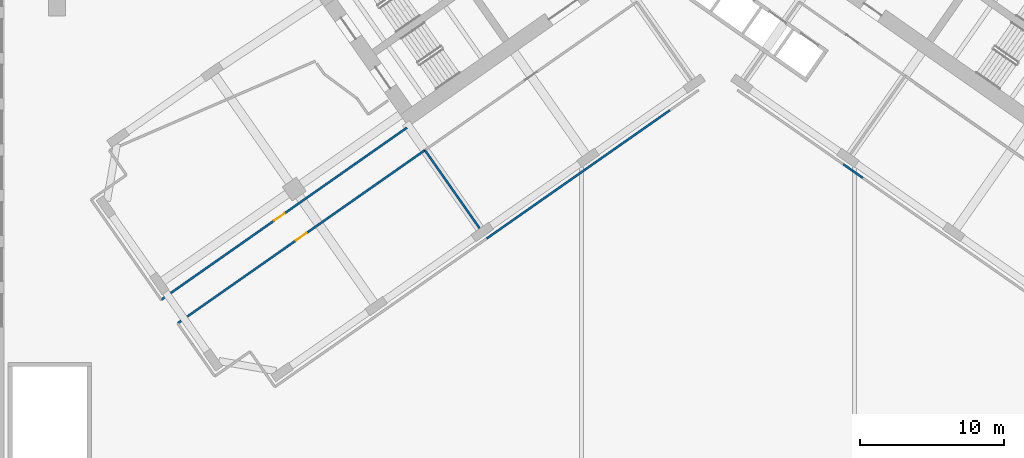
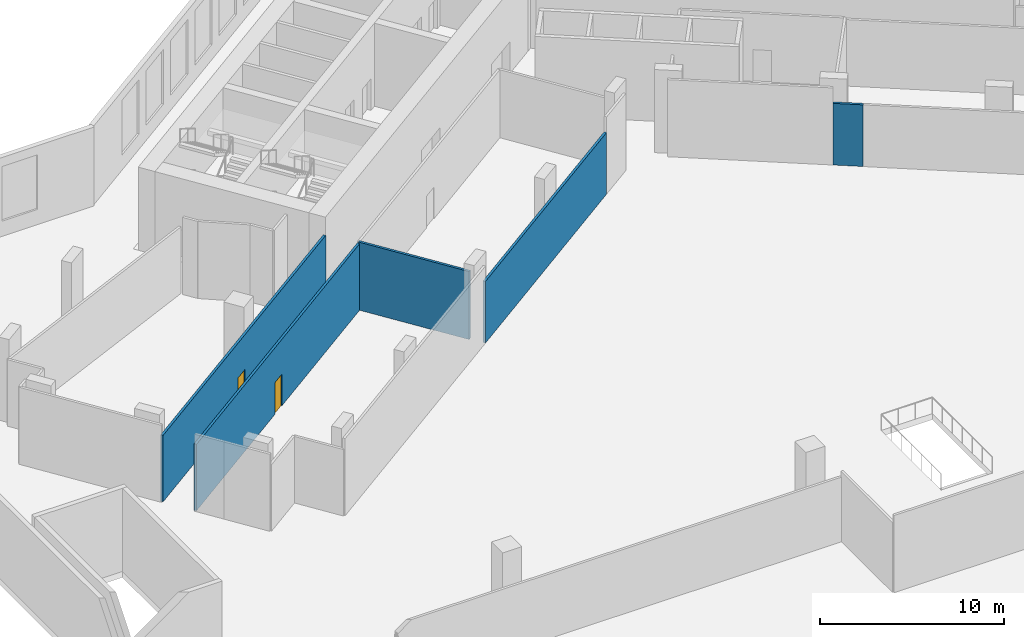
# One storey, part 5 of 15: 5 walls, 2 doors, 2 openings.
"""IFC4 building model written with IfcOpenShell, lengths in metres."""

import ifcopenshell
import ifcopenshell.guid

model = None  # the IFC model being written
_history = None  # IfcOwnerHistory: only IFC2X3 demands one
_inside = {}  # id of a spatial element -> (the spatial element, [elements in it])
_under = {}  # id of a project, library or spatial element -> (it, [spatial elements below it])
_declared = {}  # id of a project -> (the project, [libraries it declares])
_typed = {}  # id of a type object -> (the type object, [elements of that type])
_made_of = {}  # id of a material, layer set ... -> (it, [elements and type objects made of it])


def new_model(schema):
    """Start an empty IFC model of exactly this schema.

    Asked for "IFC4X3", IfcOpenShell would pick the latest addendum, in which some entities
    have other attributes; the version numbers below select the first issue.
    IFC2X3 requires an IfcOwnerHistory on every rooted entity: one is made here for all.
    """
    global model, _history
    if schema == "IFC4X3":
        model = ifcopenshell.file(schema_version=(4, 3, 0, 0))
    else:
        model = ifcopenshell.file(schema=schema)
    _inside.clear()
    _under.clear()
    _declared.clear()
    _typed.clear()
    _made_of.clear()
    _history = None
    if model.schema == "IFC2X3":
        org = make("IfcOrganization", Name="unknown")
        user = make(
            "IfcPersonAndOrganization",
            ThePerson=make("IfcPerson", FamilyName="unknown"),
            TheOrganization=org,
        )
        app = make(
            "IfcApplication",
            ApplicationDeveloper=org,
            Version="unknown",
            ApplicationFullName="unknown",
            ApplicationIdentifier="unknown",
        )
        _history = make(
            "IfcOwnerHistory",
            OwningUser=user,
            OwningApplication=app,
            ChangeAction="ADDED",
            CreationDate=0,
        )
    return model


def make(cls, **values):
    """One entity of the class cls with the attributes given. An attribute that is None is left unset."""
    return model.create_entity(
        cls, **{name: value for name, value in values.items() if value is not None}
    )


def rooted(cls, **values):
    """An entity with a GlobalId (a new one), such as an element, a storey or a relation."""
    return make(cls, GlobalId=ifcopenshell.guid.new(), OwnerHistory=_history, **values)


def si_unit(unit_type, name, prefix=None):
    """IfcSIUnit, for example si_unit("LENGTHUNIT", "METRE", prefix="MILLI")."""
    return make("IfcSIUnit", UnitType=unit_type, Prefix=prefix, Name=name)


def assignment(units):
    """IfcUnitAssignment: the units of a project."""
    return None if units is None else make("IfcUnitAssignment", Units=units)


def point(xyz):
    """IfcCartesianPoint."""
    return None if xyz is None else make("IfcCartesianPoint", Coordinates=xyz)


def direction(xyz):
    """IfcDirection."""
    return None if xyz is None else make("IfcDirection", DirectionRatios=xyz)


def frame(location, z_axis=None, x_axis=None):
    """IfcAxis2Placement3D, a coordinate frame: its origin and axes. An axis left out is left unset."""
    return make(
        "IfcAxis2Placement3D",
        Location=point(location),
        Axis=direction(z_axis),
        RefDirection=direction(x_axis),
    )


def frame_2d(location, x_axis=None):
    """IfcAxis2Placement2D, a coordinate frame in the plane: its origin and x axis."""
    return make(
        "IfcAxis2Placement2D", Location=point(location), RefDirection=direction(x_axis)
    )


def origin():
    """The frame at (0, 0, 0) with its axes left unset."""
    return frame((0.0, 0.0, 0.0))


def place(relative_to, where):
    """IfcLocalPlacement: puts the frame where relative to a parent placement (None: the world)."""
    return make(
        "IfcLocalPlacement", PlacementRelTo=relative_to, RelativePlacement=where
    )


def context(
    kind, dimensions, precision=None, world=None, true_north=None, identifier=None
):
    """IfcGeometricRepresentationContext, for example the 3D "Model" context."""
    return make(
        "IfcGeometricRepresentationContext",
        ContextIdentifier=identifier,
        ContextType=kind,
        CoordinateSpaceDimension=dimensions,
        Precision=precision,
        WorldCoordinateSystem=world,
        TrueNorth=true_north,
    )


def subcontext(parent, identifier, kind, view, scale=None):
    """IfcGeometricRepresentationSubContext, for example "Body" below "Model"."""
    return make(
        "IfcGeometricRepresentationSubContext",
        ContextIdentifier=identifier,
        ContextType=kind,
        ParentContext=parent,
        TargetScale=scale,
        TargetView=view,
    )


def project(units=None, contexts=None):
    """IfcProject with its units and contexts."""
    return rooted(
        "IfcProject",
        Name="project",
        RepresentationContexts=contexts,
        UnitsInContext=assignment(units),
    )


def spatial(cls, under=None, at=None, **own):
    """A site, building, storey or space (cls), placed at a placement, below another one or the project."""
    s = rooted(cls, ObjectPlacement=at, **own)
    if under is not None:
        _under.setdefault(under.id(), (under, []))[1].append(s)
    return s


def profile(cls, at=None, kind="AREA", **sizes):
    """A parametric profile (cls). Its sizes go by their IFC names, for example OverallWidth=200.0."""
    return make(cls, ProfileType=kind, Position=at, **sizes)


def rectangle(**sizes):
    """IfcRectangleProfileDef."""
    return profile("IfcRectangleProfileDef", **sizes)


def extrude(swept, where, along, depth):
    """IfcExtrudedAreaSolid: the profile swept, set in the frame where, extruded along a direction by depth."""
    return make(
        "IfcExtrudedAreaSolid",
        SweptArea=swept,
        Position=where,
        ExtrudedDirection=direction(along),
        Depth=depth,
    )


def shape(context_of_items, identifier, shape_type, items):
    """IfcShapeRepresentation: the items that make up one representation, for example the "Body"."""
    return make(
        "IfcShapeRepresentation",
        ContextOfItems=context_of_items,
        RepresentationIdentifier=identifier,
        RepresentationType=shape_type,
        Items=items,
    )


def material(Name=None, Category=None):
    """IfcMaterial."""
    return make("IfcMaterial", Name=Name, Category=Category)


def layer(
    of_material, thickness, ventilated=None, Name=None, Category=None, Priority=None
):
    """IfcMaterialLayer: one layer of a wall or slab, of a material (None: an air gap)."""
    return make(
        "IfcMaterialLayer",
        Material=of_material,
        LayerThickness=thickness,
        IsVentilated=ventilated,
        Name=Name,
        Category=Category,
        Priority=Priority,
    )


def layer_set(layers, Name=None):
    """IfcMaterialLayerSet."""
    return make("IfcMaterialLayerSet", MaterialLayers=layers, LayerSetName=Name)


def made_of(thing, what):
    """Note that an element or type object is made of a material, layer set ...; save() writes the relation."""
    if what is not None:
        _made_of.setdefault(what.id(), (what, []))[1].append(thing)
    return thing


def type_object(cls, material=None, **own):
    """A type object (cls), such as IfcWallType, which elements share."""
    return made_of(rooted(cls, **own), material)


def element(
    cls,
    number,
    at=None,
    inside=None,
    cuts=None,
    type_object=None,
    material=None,
    context=None,
    identifier="Body",
    shape_type=None,
    held_by="IfcProductDefinitionShape",
    body=None,
    shapes=None,
    **own,
):
    """One element of the class cls, such as IfcWall. Its Tag is "e" and its number.

    at: its placement. inside: the storey or other place that contains it. cuts: it is an
    opening in that element (IfcRelVoidsElement). A single representation is given by context,
    identifier, shape_type and body (its items); several are given by shapes. held_by: the class
    of the entity that holds the representations. save() writes the other relations.
    """
    e = rooted(cls, Tag="e%d" % number, ObjectPlacement=at, **own)
    if body is not None:
        shapes = [shape(context, identifier, shape_type, body)]
    if shapes is not None:
        e.Representation = make(held_by, Representations=shapes)
    if inside is not None:
        _inside.setdefault(inside.id(), (inside, []))[1].append(e)
    if cuts is not None:
        rooted(
            "IfcRelVoidsElement", RelatingBuildingElement=cuts, RelatedOpeningElement=e
        )
    if type_object is not None:
        _typed.setdefault(type_object.id(), (type_object, []))[1].append(e)
    return made_of(e, material)


def fill(opening, filler):
    """IfcRelFillsElement: the door or window that sits in an opening."""
    return rooted(
        "IfcRelFillsElement",
        RelatingOpeningElement=opening,
        RelatedBuildingElement=filler,
    )


def aggregate(whole, parts):
    """IfcRelAggregates: a whole, such as a stair, and the parts it consists of."""
    return rooted("IfcRelAggregates", RelatingObject=whole, RelatedObjects=parts)


def save(model, path):
    """Write the relations noted so far, then the file.

    IfcRelAggregates (storeys below a building ...), IfcRelContainedInSpatialStructure (elements
    in a storey), IfcRelDefinesByType, IfcRelAssociatesMaterial and IfcRelDeclares: one each for
    every whole, place, type object, material and project.
    """
    for whole, parts in _under.values():
        aggregate(whole, parts)
    for where, things in _inside.values():
        rooted(
            "IfcRelContainedInSpatialStructure",
            RelatedElements=things,
            RelatingStructure=where,
        )
    for kind, things in _typed.values():
        rooted("IfcRelDefinesByType", RelatedObjects=things, RelatingType=kind)
    for what, things in _made_of.values():
        rooted("IfcRelAssociatesMaterial", RelatedObjects=things, RelatingMaterial=what)
    for by, libraries in _declared.values():
        rooted("IfcRelDeclares", RelatingContext=by, RelatedDefinitions=libraries)
    model.write(path)


model = new_model("IFC4")

# Units and contexts
model_context = context("Model", 3, precision=1e-05, world=origin(), true_north=direction((0.0, 1.0)))
body_context = subcontext(model_context, "Body", "Model", "MODEL_VIEW")
ifc_project = project(units=[si_unit("LENGTHUNIT", "METRE"), si_unit("AREAUNIT", "SQUARE_METRE"), si_unit("VOLUMEUNIT", "CUBIC_METRE"), si_unit("PLANEANGLEUNIT", "RADIAN"), si_unit("MASSUNIT", "GRAM", prefix="KILO")], contexts=[model_context])

# Site, building, storey
site_placement = place(None, origin())
site = spatial("IfcSite", under=ifc_project, at=site_placement, CompositionType="ELEMENT")
building_placement = place(site_placement, origin())
building = spatial("IfcBuilding", under=site, at=building_placement, Name="Tel Ilan Convention Tower", CompositionType="ELEMENT")
storey_placement = place(building_placement, frame((0.0, 0.0, 43.0)))
storey = spatial("IfcBuildingStorey", under=building, at=storey_placement, Name="L06", CompositionType="ELEMENT", Elevation=43.0)

# Wall, opening, door
ifc_material_1 = material(Name="Plasterboard on Steel Studs", Category="steel")
ifc_layer = layer(ifc_material_1, 0.14990234375)
ifc_layer_set = layer_set([ifc_layer], Name="Fire-rated Partition 150 EI 60")
wall_type = type_object("IfcWallType", Name="Fire-rated Partition 150 EI 60", PredefinedType="PARTITIONING", material=ifc_layer_set)
wall_1_placement = place(storey_placement, frame((-38.74560546875, -28.350830078125, 0.0), z_axis=(0.0, 0.0, 1.0), x_axis=(0.819148965066, 0.573580833911, 0.0)))
wall_1 = element("IfcWall", 1, at=wall_1_placement, inside=storey, type_object=wall_type, Name="Partition 004", PredefinedType="PARTITIONING", context=body_context, shape_type="SweptSolid", body=[
    extrude(rectangle(XDim=20.8798828125, YDim=0.14990234375, at=frame_2d((10.43994140625, 0.0))), origin(), (0.0, 0.0, 1.0), 4.39990234375),
])
opening_1_placement = place(wall_1_placement, frame((9.590087890625, 0.0, 0.0)))
opening_1 = element("IfcOpeningElement", 2, at=opening_1_placement, cuts=wall_1, Name="Opening L06-003", PredefinedType="OPENING", context=body_context, shape_type="SweptSolid", body=[
    extrude(rectangle(XDim=0.89990234375, YDim=2.10009765625, at=frame_2d((0.449951171875, 1.050048828125))), frame((0.0, 0.0849609375, 0.0), z_axis=(0.0, -1.0, 0.0), x_axis=(1.0, 0.0, 0.0)), (0.0, 0.0, 1.0), 0.169921875),
])
ifc_material_2 = material(Name="Timber Door Leaf in Steel Frame", Category="steel")
door_type_1 = type_object("IfcDoorType", Name="Riser and Service Fire Door 900x2100", OperationType="NOTDEFINED", PredefinedType="DOOR", material=ifc_material_2)
door_1_placement = place(opening_1_placement, origin())
door_1 = element("IfcDoor", 3, at=door_1_placement, inside=storey, type_object=door_type_1, Name="Door L06-003", OperationType="SINGLE_SWING_LEFT", OverallHeight=2.10009765625, OverallWidth=0.89990234375, PredefinedType="DOOR", context=body_context, shape_type="SweptSolid", body=[
    extrude(rectangle(XDim=0.89990234375, YDim=2.10009765625, at=frame_2d((0.449951171875, 1.050048828125))), frame((0.0, 0.02490234375, 0.0), z_axis=(0.0, -1.0, 0.0), x_axis=(1.0, 0.0, 0.0)), (0.0, 0.0, 1.0), 0.050048828125),
])
fill(opening_1, door_1)

wall_2_placement = place(storey_placement, frame((-20.394775390625, -17.94287109375, 0.0), z_axis=(0.0, 0.0, 1.0), x_axis=(-0.819154909514, -0.573572344364, 0.0)))
wall_2 = element("IfcWall", 4, at=wall_2_placement, inside=storey, type_object=wall_type, Name="Partition 006", PredefinedType="PARTITIONING", context=body_context, shape_type="SweptSolid", body=[
    extrude(rectangle(XDim=21.001953125, YDim=0.14990234375, at=frame_2d((10.5009765625, 0.0))), origin(), (0.0, 0.0, 1.0), 4.39990234375),
])
opening_2_placement = place(wall_2_placement, frame((10.051025390625, 0.0, 0.0)))
opening_2 = element("IfcOpeningElement", 5, at=opening_2_placement, cuts=wall_2, Name="Opening L06-002", PredefinedType="OPENING", context=body_context, shape_type="SweptSolid", body=[
    extrude(rectangle(XDim=0.89990234375, YDim=2.10009765625, at=frame_2d((0.449951171875, 1.050048828125))), frame((0.0, 0.0849609375, 0.0), z_axis=(0.0, -1.0, 0.0), x_axis=(1.0, 0.0, 0.0)), (0.0, 0.0, 1.0), 0.169921875),
])
ifc_material_3 = material(Name="Timber Door Leaf in Steel Frame", Category="steel")
door_type_2 = type_object("IfcDoorType", Name="Room Fire Door 900x2100", OperationType="NOTDEFINED", PredefinedType="DOOR", material=ifc_material_3)
door_2_placement = place(opening_2_placement, origin())
door_2 = element("IfcDoor", 6, at=door_2_placement, inside=storey, type_object=door_type_2, Name="Door L06-002", OperationType="SINGLE_SWING_LEFT", OverallHeight=2.10009765625, OverallWidth=0.89990234375, PredefinedType="DOOR", context=body_context, shape_type="SweptSolid", body=[
    extrude(rectangle(XDim=0.89990234375, YDim=2.10009765625, at=frame_2d((0.449951171875, 1.050048828125))), frame((0.0, 0.02490234375, 0.0), z_axis=(0.0, -1.0, 0.0), x_axis=(1.0, 0.0, 0.0)), (0.0, 0.0, 1.0), 0.050048828125),
])
fill(opening_2, door_2)

# Walls
wall_3_placement = place(storey_placement, frame((10.0751953125, -19.872802734375, 0.0), z_axis=(0.0, 0.0, 1.0), x_axis=(-0.819190252408, 0.573521865634, 0.0)))
element("IfcWall", 7, at=wall_3_placement, inside=storey, type_object=wall_type, Name="Partition 026", PredefinedType="PARTITIONING", context=body_context, shape_type="SweptSolid", body=[
    extrude(rectangle(XDim=1.651611328125, YDim=0.14990234375, at=frame_2d((0.82568359375, 0.0))), origin(), (0.0, 0.0, 1.0), 4.080078125),
])
wall_4_placement = place(storey_placement, frame((-16.095458984375, -24.089599609375, 0.0), z_axis=(0.0, 0.0, 1.0), x_axis=(0.819143409619, 0.57358876774, 0.0)))
element("IfcWall", 8, at=wall_4_placement, inside=storey, type_object=wall_type, Name="Partition 035", PredefinedType="PARTITIONING", context=body_context, shape_type="SweptSolid", body=[
    extrude(rectangle(XDim=15.552001953125, YDim=0.14990234375, at=frame_2d((7.77587890625, 0.0))), origin(), (0.0, 0.0, 1.0), 4.080078125),
])
wall_5_placement = place(storey_placement, frame((-16.593505859375, -23.375, 0.0), z_axis=(0.0, 0.0, 1.0), x_axis=(-0.57359826181, 0.819136761505, 0.0)))
element("IfcWall", 9, at=wall_5_placement, inside=storey, type_object=wall_type, Name="Partition 074", PredefinedType="PARTITIONING", context=body_context, shape_type="SweptSolid", body=[
    extrude(rectangle(XDim=6.630126953125, YDim=0.14990234375, at=frame_2d((3.31494140625, 0.0))), origin(), (0.0, 0.0, 1.0), 4.5),
])

save(model, "model.ifc")
